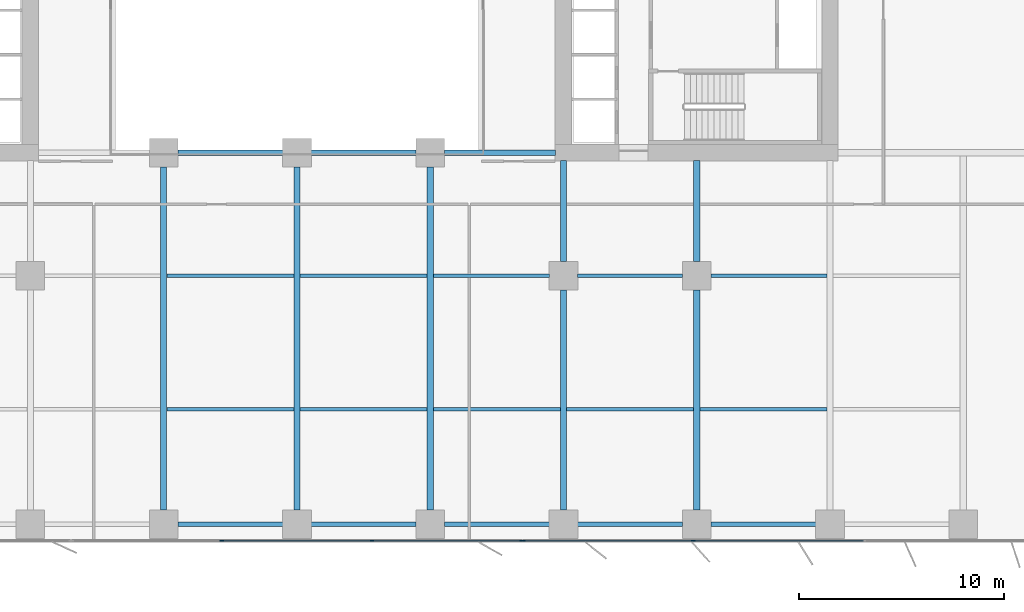
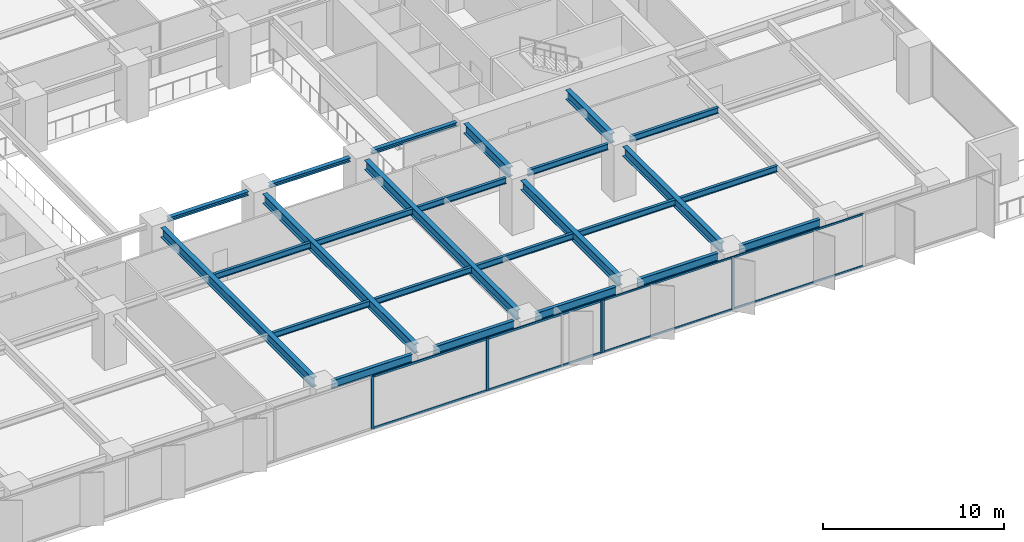
# One storey, part 5 of 20: 25 beams, 13 members, 2 elements without a shape of their own.
"""IFC4 building model written with IfcOpenShell, lengths in metres."""

from ifc_helpers import new_model, si_unit, direction, frame, origin, origin_2d, place, context, subcontext, project, spatial, rectangle, i_section, extrude, material, layer, layer_set, material_profile, profile_set, type_object, element, aggregate, save


model = new_model("IFC4")

# Units and contexts
model_context = context("Model", 3, precision=1e-05, world=origin(), true_north=direction((0.0, 1.0)))
body_context = subcontext(model_context, "Body", "Model", "MODEL_VIEW")
ifc_project = project(units=[si_unit("LENGTHUNIT", "METRE"), si_unit("AREAUNIT", "SQUARE_METRE"), si_unit("VOLUMEUNIT", "CUBIC_METRE"), si_unit("PLANEANGLEUNIT", "RADIAN"), si_unit("MASSUNIT", "GRAM", prefix="KILO")], contexts=[model_context])

# Site, building, storey
site_placement = place(None, origin())
site = spatial("IfcSite", under=ifc_project, at=site_placement, CompositionType="ELEMENT")
building_placement = place(site_placement, origin())
building = spatial("IfcBuilding", under=site, at=building_placement, Name="Putna Gate Headquarters", CompositionType="ELEMENT")
storey_placement = place(building_placement, frame((0.0, 0.0, 50.60009765625)))
storey = spatial("IfcBuildingStorey", under=building, at=storey_placement, Name="L11", CompositionType="ELEMENT", Elevation=50.60009765625)

# Beams
ifc_material_1 = material(Name="Steel S355J2", Category="steel")
ifc_material_profile_1 = material_profile(ifc_material_1, i_section(OverallWidth=0.260009765625, OverallDepth=0.260009765625, WebThickness=0.010009765625, FlangeThickness=0.017578125, at=origin_2d()), Name="Steel S355J2")
ifc_profile_set_1 = profile_set([ifc_material_profile_1], Name="Steel S355J2")
beam_type_1 = type_object("IfcBeamType", Name="BM-ATRIUM-HEB260", PredefinedType="BEAM", material=ifc_profile_set_1)
for number, where, z_axis, x_axis, name in (
    (1, (33.18798828125, 19.0, 3.419921875), (1.0, 0.0, 0.0), (0.0, 1.0, 0.0), "L11 Atrium Edge Beam AS2"),
    (2, (39.68798828125, 19.0, 3.419921875), (1.0, 0.0, 0.0), (0.0, 1.0, 0.0), "L11 Atrium Edge Beam AS3"),
):
    element("IfcBeam", number, at=place(storey_placement, frame(where, z_axis=z_axis, x_axis=x_axis)), inside=storey, type_object=beam_type_1, Name=name, PredefinedType="BEAM", context=body_context, shape_type="SweptSolid", body=[
        extrude(i_section(OverallWidth=0.260009765625, OverallDepth=0.260009765625, WebThickness=0.010009765625, FlangeThickness=0.017578125, at=origin_2d()), origin(), (0.0, 0.0, 1.0), 5.1240234375),
    ])
beam_1_placement = place(storey_placement, frame((46.18798828125, 19.0, 3.419921875), z_axis=(1.0, 0.0, 0.0), x_axis=(0.0, 1.0, 0.0)))
element("IfcBeam", 3, at=beam_1_placement, inside=storey, type_object=beam_type_1, Name="L11 Atrium Edge Beam AS4", PredefinedType="BEAM", context=body_context, shape_type="SweptSolid", body=[
    extrude(i_section(OverallWidth=0.260009765625, OverallDepth=0.260009765625, WebThickness=0.010009765625, FlangeThickness=0.017578125, at=origin_2d()), origin(), (0.0, 0.0, 1.0), 5.427001953125),
])
ifc_material_profile_2 = material_profile(ifc_material_1, i_section(OverallWidth=0.300048828125, OverallDepth=0.64990234375, WebThickness=0.01611328125, FlangeThickness=0.031005859375, at=origin_2d()), Name="Steel S355J2")
ifc_profile_set_2 = profile_set([ifc_material_profile_2], Name="Steel S355J2")
beam_type_2 = type_object("IfcBeamType", Name="BM-GIRD-Z1-HEB650", PredefinedType="USERDEFINED", material=ifc_profile_set_2)
for number, where, z_axis, x_axis, name in (
    (4, (32.5, 1.568115234375, 3.224853515625), (0.0, 1.0, 0.0), (-1.0, 0.0, 0.0), "L11 South Primary Girder X32"),
    (5, (39.0, 1.568115234375, 3.224853515625), (0.0, 1.0, 0.0), (-1.0, 0.0, 0.0), "L11 South Primary Girder X39"),
    (6, (45.5, 1.568115234375, 3.224853515625), (0.0, 1.0, 0.0), (-1.0, 0.0, 0.0), "L11 South Primary Girder X45"),
):
    element("IfcBeam", number, at=place(storey_placement, frame(where, z_axis=z_axis, x_axis=x_axis)), inside=storey, type_object=beam_type_2, Name=name, ObjectType="GIRDER", PredefinedType="USERDEFINED", context=body_context, shape_type="SweptSolid", body=[
        extrude(i_section(OverallWidth=0.300048828125, OverallDepth=0.64990234375, WebThickness=0.01611328125, FlangeThickness=0.031005859375, at=origin_2d()), origin(), (0.0, 0.0, 1.0), 16.743896484375),
    ])
beam_2_placement = place(storey_placement, frame((52.0, 1.568115234375, 3.224853515625), z_axis=(0.0, 1.0, 0.0), x_axis=(-1.0, 0.0, 0.0)))
element("IfcBeam", 7, at=beam_2_placement, inside=storey, type_object=beam_type_2, Name="L11 South Primary Girder X52-1", ObjectType="GIRDER", PredefinedType="USERDEFINED", context=body_context, shape_type="SweptSolid", body=[
    extrude(i_section(OverallWidth=0.300048828125, OverallDepth=0.64990234375, WebThickness=0.01611328125, FlangeThickness=0.031005859375, at=origin_2d()), origin(), (0.0, 0.0, 1.0), 10.743896484375),
])
beam_3_placement = place(storey_placement, frame((52.0, 13.68798828125, 3.224853515625), z_axis=(0.0, 1.0, 0.0), x_axis=(-1.0, 0.0, 0.0)))
element("IfcBeam", 8, at=beam_3_placement, inside=storey, type_object=beam_type_2, Name="L11 South Primary Girder X52-2", ObjectType="GIRDER", PredefinedType="USERDEFINED", context=body_context, shape_type="SweptSolid", body=[
    extrude(i_section(OverallWidth=0.300048828125, OverallDepth=0.64990234375, WebThickness=0.01611328125, FlangeThickness=0.031005859375, at=origin_2d()), origin(), (0.0, 0.0, 1.0), 4.927001953125),
])
beam_4_placement = place(storey_placement, frame((58.5, 1.568115234375, 3.224853515625), z_axis=(0.0, 1.0, 0.0), x_axis=(-1.0, 0.0, 0.0)))
element("IfcBeam", 9, at=beam_4_placement, inside=storey, type_object=beam_type_2, Name="L11 South Primary Girder X58-1", ObjectType="GIRDER", PredefinedType="USERDEFINED", context=body_context, shape_type="SweptSolid", body=[
    extrude(i_section(OverallWidth=0.300048828125, OverallDepth=0.64990234375, WebThickness=0.01611328125, FlangeThickness=0.031005859375, at=origin_2d()), origin(), (0.0, 0.0, 1.0), 10.743896484375),
])
beam_5_placement = place(storey_placement, frame((58.5, 13.68798828125, 3.224853515625), z_axis=(0.0, 1.0, 0.0), x_axis=(-1.0, 0.0, 0.0)))
element("IfcBeam", 10, at=beam_5_placement, inside=storey, type_object=beam_type_2, Name="L11 South Primary Girder X58-2", ObjectType="GIRDER", PredefinedType="USERDEFINED", context=body_context, shape_type="SweptSolid", body=[
    extrude(i_section(OverallWidth=0.300048828125, OverallDepth=0.64990234375, WebThickness=0.01611328125, FlangeThickness=0.031005859375, at=origin_2d()), origin(), (0.0, 0.0, 1.0), 4.927001953125),
])
ifc_material_profile_3 = material_profile(ifc_material_1, i_section(OverallWidth=0.179931640625, OverallDepth=0.39990234375, WebThickness=0.008544921875, FlangeThickness=0.013427734375, at=origin_2d()), Name="Steel S355J2")
ifc_profile_set_3 = profile_set([ifc_material_profile_3], Name="Steel S355J2")
beam_type_3 = type_object("IfcBeamType", Name="BM-SEC-Z1-IPE400", PredefinedType="BEAM", material=ifc_profile_set_3)
for number, where, z_axis, x_axis, name in (
    (11, (32.654052734375, 6.5, 3.349853515625), (1.0, 0.0, 0.0), (0.0, 1.0, 0.0), "L11 South Secondary Beam 5"),
    (12, (32.654052734375, 13.0, 3.349853515625), (1.0, 0.0, 0.0), (0.0, 1.0, 0.0), "L11 South Secondary Beam 5"),
    (13, (39.154052734375, 6.5, 3.349853515625), (1.0, 0.0, 0.0), (0.0, 1.0, 0.0), "L11 South Secondary Beam 6"),
    (14, (39.154052734375, 13.0, 3.349853515625), (1.0, 0.0, 0.0), (0.0, 1.0, 0.0), "L11 South Secondary Beam 6"),
    (15, (45.654052734375, 6.5, 3.349853515625), (1.0, 0.0, 0.0), (0.0, 1.0, 0.0), "L11 South Secondary Beam 7"),
):
    element("IfcBeam", number, at=place(storey_placement, frame(where, z_axis=z_axis, x_axis=x_axis)), inside=storey, type_object=beam_type_3, Name=name, PredefinedType="BEAM", context=body_context, shape_type="SweptSolid", body=[
        extrude(i_section(OverallWidth=0.179931640625, OverallDepth=0.39990234375, WebThickness=0.008544921875, FlangeThickness=0.013427734375, at=origin_2d()), origin(), (0.0, 0.0, 1.0), 6.19189453125),
    ])
beam_6_placement = place(storey_placement, frame((45.654052734375, 13.0, 3.349853515625), z_axis=(1.0, 0.0, 0.0), x_axis=(0.0, 1.0, 0.0)))
element("IfcBeam", 16, at=beam_6_placement, inside=storey, type_object=beam_type_3, Name="L11 South Secondary Beam 7", PredefinedType="BEAM", context=body_context, shape_type="SweptSolid", body=[
    extrude(i_section(OverallWidth=0.179931640625, OverallDepth=0.39990234375, WebThickness=0.008544921875, FlangeThickness=0.013427734375, at=origin_2d()), origin(), (0.0, 0.0, 1.0), 5.657958984375),
])
beam_7_placement = place(storey_placement, frame((52.154052734375, 6.5, 3.349853515625), z_axis=(1.0, 0.0, 0.0), x_axis=(0.0, 1.0, 0.0)))
element("IfcBeam", 17, at=beam_7_placement, inside=storey, type_object=beam_type_3, Name="L11 South Secondary Beam 8", PredefinedType="BEAM", context=body_context, shape_type="SweptSolid", body=[
    extrude(i_section(OverallWidth=0.179931640625, OverallDepth=0.39990234375, WebThickness=0.008544921875, FlangeThickness=0.013427734375, at=origin_2d()), origin(), (0.0, 0.0, 1.0), 6.19189453125),
])
beam_8_placement = place(storey_placement, frame((52.68798828125, 13.0, 3.349853515625), z_axis=(1.0, 0.0, 0.0), x_axis=(0.0, 1.0, 0.0)))
element("IfcBeam", 18, at=beam_8_placement, inside=storey, type_object=beam_type_3, Name="L11 South Secondary Beam 8", PredefinedType="BEAM", context=body_context, shape_type="SweptSolid", body=[
    extrude(i_section(OverallWidth=0.179931640625, OverallDepth=0.39990234375, WebThickness=0.008544921875, FlangeThickness=0.013427734375, at=origin_2d()), origin(), (0.0, 0.0, 1.0), 5.1240234375),
])
beam_9_placement = place(storey_placement, frame((58.654052734375, 6.5, 3.349853515625), z_axis=(1.0, 0.0, 0.0), x_axis=(0.0, 1.0, 0.0)))
element("IfcBeam", 19, at=beam_9_placement, inside=storey, type_object=beam_type_3, Name="L11 South Secondary Beam 9", PredefinedType="BEAM", context=body_context, shape_type="SweptSolid", body=[
    extrude(i_section(OverallWidth=0.179931640625, OverallDepth=0.39990234375, WebThickness=0.008544921875, FlangeThickness=0.013427734375, at=origin_2d()), origin(), (0.0, 0.0, 1.0), 6.19189453125),
])
beam_10_placement = place(storey_placement, frame((59.18798828125, 13.0, 3.349853515625), z_axis=(1.0, 0.0, 0.0), x_axis=(0.0, 1.0, 0.0)))
element("IfcBeam", 20, at=beam_10_placement, inside=storey, type_object=beam_type_3, Name="L11 South Secondary Beam 9", PredefinedType="BEAM", context=body_context, shape_type="SweptSolid", body=[
    extrude(i_section(OverallWidth=0.179931640625, OverallDepth=0.39990234375, WebThickness=0.008544921875, FlangeThickness=0.013427734375, at=origin_2d()), origin(), (0.0, 0.0, 1.0), 5.657958984375),
])
ifc_material_profile_4 = material_profile(ifc_material_1, i_section(OverallWidth=0.2099609375, OverallDepth=0.550048828125, WebThickness=0.010986328125, FlangeThickness=0.01708984375, at=origin_2d()), Name="Steel S355J2")
ifc_profile_set_4 = profile_set([ifc_material_profile_4], Name="Steel S355J2")
beam_type_4 = type_object("IfcBeamType", Name="BM-SPAN-Z1-IPE550", PredefinedType="SPANDREL", material=ifc_profile_set_4)
for number, where, z_axis, x_axis, name in (
    (21, (33.18798828125, 0.8798828125, 3.27490234375), (1.0, 0.0, 0.0), (0.0, 1.0, 0.0), "L11 S Perimeter Spandrel 5"),
    (22, (39.68798828125, 0.8798828125, 3.27490234375), (1.0, 0.0, 0.0), (0.0, 1.0, 0.0), "L11 S Perimeter Spandrel 6"),
    (23, (46.18798828125, 0.8798828125, 3.27490234375), (1.0, 0.0, 0.0), (0.0, 1.0, 0.0), "L11 S Perimeter Spandrel 7"),
    (24, (52.68798828125, 0.8798828125, 3.27490234375), (1.0, 0.0, 0.0), (0.0, 1.0, 0.0), "L11 S Perimeter Spandrel 8"),
    (25, (59.18798828125, 0.8798828125, 3.27490234375), (1.0, 0.0, 0.0), (0.0, 1.0, 0.0), "L11 S Perimeter Spandrel 9"),
):
    element("IfcBeam", number, at=place(storey_placement, frame(where, z_axis=z_axis, x_axis=x_axis)), inside=storey, type_object=beam_type_4, Name=name, PredefinedType="SPANDREL", context=body_context, shape_type="SweptSolid", body=[
        extrude(i_section(OverallWidth=0.2099609375, OverallDepth=0.550048828125, WebThickness=0.010986328125, FlangeThickness=0.01708984375, at=origin_2d()), origin(), (0.0, 0.0, 1.0), 5.1240234375),
    ])

# Curtain wall, members
ifc_material_2 = material(Name="Anodised bronze aluminium curtain wall", Category="aluminium")
ifc_layer_1 = layer(ifc_material_2, 0.179931640625)
ifc_layer_set_1 = layer_set([ifc_layer_1], Name="Anodised bronze aluminium curtain wall")
curtain_wall_type_1 = type_object("IfcCurtainWallType", Name="CW-SYS-Z1", PredefinedType="USERDEFINED", material=ifc_layer_set_1)
curtain_wall_1_placement = place(storey_placement, origin())
curtain_wall_1 = element("IfcCurtainWall", 26, at=curtain_wall_1_placement, inside=storey, type_object=curtain_wall_type_1, Name="L11 South East Curtain Wall", ObjectType="STICK CURTAIN WALL", PredefinedType="USERDEFINED")
ifc_material_3 = material(Name="Anodised bronze aluminium EN AW-6060", Category="aluminium")
ifc_material_profile_5 = material_profile(ifc_material_3, rectangle(XDim=0.070068359375, YDim=0.179931640625, at=origin_2d()), Name="Anodised bronze aluminium EN AW-6060")
ifc_profile_set_5 = profile_set([ifc_material_profile_5], Name="Anodised bronze aluminium EN AW-6060")
member_type_1 = type_object("IfcMemberType", Name="MULL-CWM-1", PredefinedType="MULLION", material=ifc_profile_set_5)
member_1_placement = place(storey_placement, frame((50.034912109375, 0.080078125, 0.0), z_axis=(0.0, 0.0, 1.0), x_axis=(0.0, 1.0, 0.0)))
member_1 = element("IfcMember", 27, at=member_1_placement, type_object=member_type_1, Name="CWS-1 mullion 1", PredefinedType="MULLION", context=body_context, shape_type="SweptSolid", body=[
    extrude(rectangle(XDim=0.070068359375, YDim=0.179931640625, at=origin_2d()), origin(), (0.0, 0.0, 1.0), 3.5498046875),
])
member_2_placement = place(storey_placement, frame((58.333251953125, 0.080078125, 0.0), z_axis=(0.0, 0.0, 1.0), x_axis=(0.0, 1.0, 0.0)))
member_2 = element("IfcMember", 28, at=member_2_placement, type_object=member_type_1, Name="CWS-1 mullion 2", PredefinedType="MULLION", context=body_context, shape_type="SweptSolid", body=[
    extrude(rectangle(XDim=0.070068359375, YDim=0.179931640625, at=origin_2d()), origin(), (0.0, 0.0, 1.0), 3.5498046875),
])

ifc_layer_2 = layer(ifc_material_2, 0.179931640625)
ifc_layer_set_2 = layer_set([ifc_layer_2], Name="Anodised bronze aluminium curtain wall")
curtain_wall_type_2 = type_object("IfcCurtainWallType", Name="CW-SYS-ATR", PredefinedType="USERDEFINED", material=ifc_layer_set_2)
curtain_wall_2_placement = place(storey_placement, origin())
curtain_wall_2 = element("IfcCurtainWall", 29, at=curtain_wall_2_placement, inside=storey, type_object=curtain_wall_type_2, Name="L11 South Atrium Clear Glazing", ObjectType="ATRIUM GLAZING", PredefinedType="USERDEFINED")
ifc_material_profile_6 = material_profile(ifc_material_3, rectangle(XDim=0.070068359375, YDim=0.179931640625, at=origin_2d()), Name="Anodised bronze aluminium EN AW-6060")
ifc_profile_set_6 = profile_set([ifc_material_profile_6], Name="Anodised bronze aluminium EN AW-6060")
member_type_2 = type_object("IfcMemberType", Name="MULL-CWM-AT", PredefinedType="MULLION", material=ifc_profile_set_6)
member_3_placement = place(storey_placement, frame((35.333251953125, 0.080078125, 0.0), z_axis=(0.0, 0.0, 1.0), x_axis=(0.0, 1.0, 0.0)))
member_3 = element("IfcMember", 30, at=member_3_placement, type_object=member_type_2, Name="CWS-AT mullion 2", PredefinedType="MULLION", context=body_context, shape_type="SweptSolid", body=[
    extrude(rectangle(XDim=0.070068359375, YDim=0.179931640625, at=origin_2d()), origin(), (0.0, 0.0, 1.0), 3.5498046875),
])
member_4_placement = place(storey_placement, frame((42.666748046875, 0.080078125, 0.0), z_axis=(0.0, 0.0, 1.0), x_axis=(0.0, 1.0, 0.0)))
member_4 = element("IfcMember", 31, at=member_4_placement, type_object=member_type_2, Name="CWS-AT mullion 3", PredefinedType="MULLION", context=body_context, shape_type="SweptSolid", body=[
    extrude(rectangle(XDim=0.070068359375, YDim=0.179931640625, at=origin_2d()), origin(), (0.0, 0.0, 1.0), 3.5498046875),
])
member_5_placement = place(storey_placement, frame((49.965087890625, 0.080078125, 0.0), z_axis=(0.0, 0.0, 1.0), x_axis=(0.0, 1.0, 0.0)))
member_5 = element("IfcMember", 32, at=member_5_placement, type_object=member_type_2, Name="CWS-AT mullion 4", PredefinedType="MULLION", context=body_context, shape_type="SweptSolid", body=[
    extrude(rectangle(XDim=0.070068359375, YDim=0.179931640625, at=origin_2d()), origin(), (0.0, 0.0, 1.0), 3.5498046875),
])

# Member
ifc_material_profile_7 = material_profile(ifc_material_3, rectangle(XDim=0.06494140625, YDim=0.1201171875, at=origin_2d()), Name="Anodised bronze aluminium EN AW-6060")
ifc_profile_set_7 = profile_set([ifc_material_profile_7], Name="Anodised bronze aluminium EN AW-6060")
member_type_3 = type_object("IfcMemberType", Name="TRAN-CWT-1", PredefinedType="USERDEFINED", material=ifc_profile_set_7)
member_6_placement = place(storey_placement, frame((50.070068359375, 0.080078125, 0.032470703125), z_axis=(1.0, 0.0, 0.0), x_axis=(0.0, 1.0, 0.0)))
member_6 = element("IfcMember", 33, at=member_6_placement, type_object=member_type_3, Name="CWS-1 transom 1.1", ObjectType="TRANSOM", PredefinedType="USERDEFINED", context=body_context, shape_type="SweptSolid", body=[
    extrude(rectangle(XDim=0.06494140625, YDim=0.1201171875, at=origin_2d()), origin(), (0.0, 0.0, 1.0), 8.228271484375),
])

member_7_placement = place(storey_placement, frame((50.070068359375, 0.080078125, 3.517333984375), z_axis=(1.0, 0.0, 0.0), x_axis=(0.0, 1.0, 0.0)))
member_7 = element("IfcMember", 34, at=member_7_placement, type_object=member_type_3, Name="CWS-1 transom 1.2", ObjectType="TRANSOM", PredefinedType="USERDEFINED", context=body_context, shape_type="SweptSolid", body=[
    extrude(rectangle(XDim=0.06494140625, YDim=0.1201171875, at=origin_2d()), origin(), (0.0, 0.0, 1.0), 8.228271484375),
])

member_8_placement = place(storey_placement, frame((58.368408203125, 0.080078125, 0.032470703125), z_axis=(1.0, 0.0, 0.0), x_axis=(0.0, 1.0, 0.0)))
member_8 = element("IfcMember", 35, at=member_8_placement, type_object=member_type_3, Name="CWS-1 transom 2.1", ObjectType="TRANSOM", PredefinedType="USERDEFINED", context=body_context, shape_type="SweptSolid", body=[
    extrude(rectangle(XDim=0.06494140625, YDim=0.1201171875, at=origin_2d()), origin(), (0.0, 0.0, 1.0), 8.26318359375),
])

member_9_placement = place(storey_placement, frame((58.368408203125, 0.080078125, 3.517333984375), z_axis=(1.0, 0.0, 0.0), x_axis=(0.0, 1.0, 0.0)))
member_9 = element("IfcMember", 36, at=member_9_placement, type_object=member_type_3, Name="CWS-1 transom 2.2", ObjectType="TRANSOM", PredefinedType="USERDEFINED", context=body_context, shape_type="SweptSolid", body=[
    extrude(rectangle(XDim=0.06494140625, YDim=0.1201171875, at=origin_2d()), origin(), (0.0, 0.0, 1.0), 8.26318359375),
])

aggregate(curtain_wall_1, [member_1, member_2, member_6, member_7, member_8, member_9])

ifc_material_profile_8 = material_profile(ifc_material_3, rectangle(XDim=0.070068359375, YDim=0.139892578125, at=origin_2d()), Name="Anodised bronze aluminium EN AW-6060")
ifc_profile_set_8 = profile_set([ifc_material_profile_8], Name="Anodised bronze aluminium EN AW-6060")
member_type_4 = type_object("IfcMemberType", Name="TRAN-CWT-AT", PredefinedType="USERDEFINED", material=ifc_profile_set_8)
member_10_placement = place(storey_placement, frame((35.368408203125, 0.080078125, 0.034912109375), z_axis=(1.0, 0.0, 0.0), x_axis=(0.0, 1.0, 0.0)))
member_10 = element("IfcMember", 37, at=member_10_placement, type_object=member_type_4, Name="CWS-AT transom 2.1", ObjectType="TRANSOM", PredefinedType="USERDEFINED", context=body_context, shape_type="SweptSolid", body=[
    extrude(rectangle(XDim=0.070068359375, YDim=0.139892578125, at=origin_2d()), origin(), (0.0, 0.0, 1.0), 7.26318359375),
])

member_11_placement = place(storey_placement, frame((35.368408203125, 0.080078125, 3.514892578125), z_axis=(1.0, 0.0, 0.0), x_axis=(0.0, 1.0, 0.0)))
member_11 = element("IfcMember", 38, at=member_11_placement, type_object=member_type_4, Name="CWS-AT transom 2.2", ObjectType="TRANSOM", PredefinedType="USERDEFINED", context=body_context, shape_type="SweptSolid", body=[
    extrude(rectangle(XDim=0.070068359375, YDim=0.139892578125, at=origin_2d()), origin(), (0.0, 0.0, 1.0), 7.26318359375),
])

member_12_placement = place(storey_placement, frame((42.70166015625, 0.080078125, 0.034912109375), z_axis=(1.0, 0.0, 0.0), x_axis=(0.0, 1.0, 0.0)))
member_12 = element("IfcMember", 39, at=member_12_placement, type_object=member_type_4, Name="CWS-AT transom 3.1", ObjectType="TRANSOM", PredefinedType="USERDEFINED", context=body_context, shape_type="SweptSolid", body=[
    extrude(rectangle(XDim=0.070068359375, YDim=0.139892578125, at=origin_2d()), origin(), (0.0, 0.0, 1.0), 7.228271484375),
])

member_13_placement = place(storey_placement, frame((42.70166015625, 0.080078125, 3.514892578125), z_axis=(1.0, 0.0, 0.0), x_axis=(0.0, 1.0, 0.0)))
member_13 = element("IfcMember", 40, at=member_13_placement, type_object=member_type_4, Name="CWS-AT transom 3.2", ObjectType="TRANSOM", PredefinedType="USERDEFINED", context=body_context, shape_type="SweptSolid", body=[
    extrude(rectangle(XDim=0.070068359375, YDim=0.139892578125, at=origin_2d()), origin(), (0.0, 0.0, 1.0), 7.228271484375),
])

aggregate(curtain_wall_2, [member_3, member_4, member_5, member_10, member_11, member_12, member_13])

save(model, "model.ifc")
